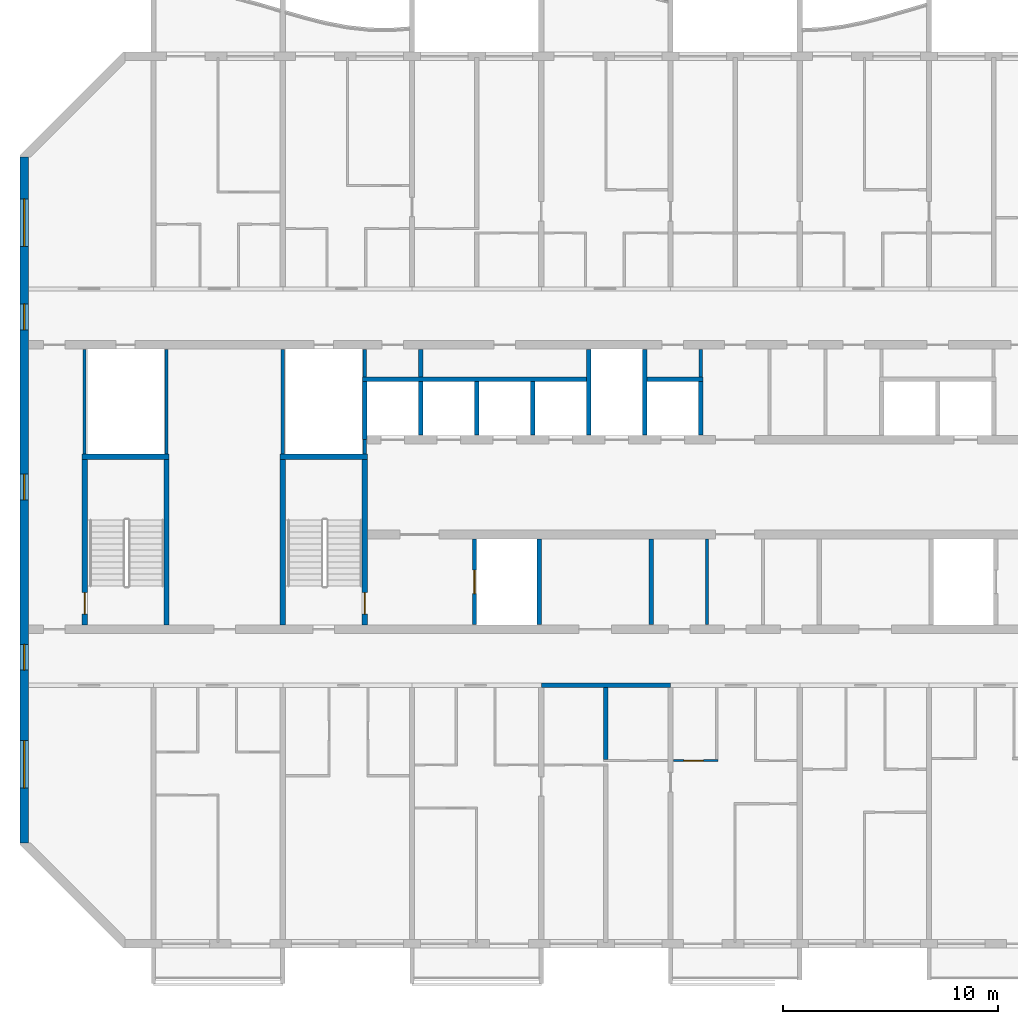
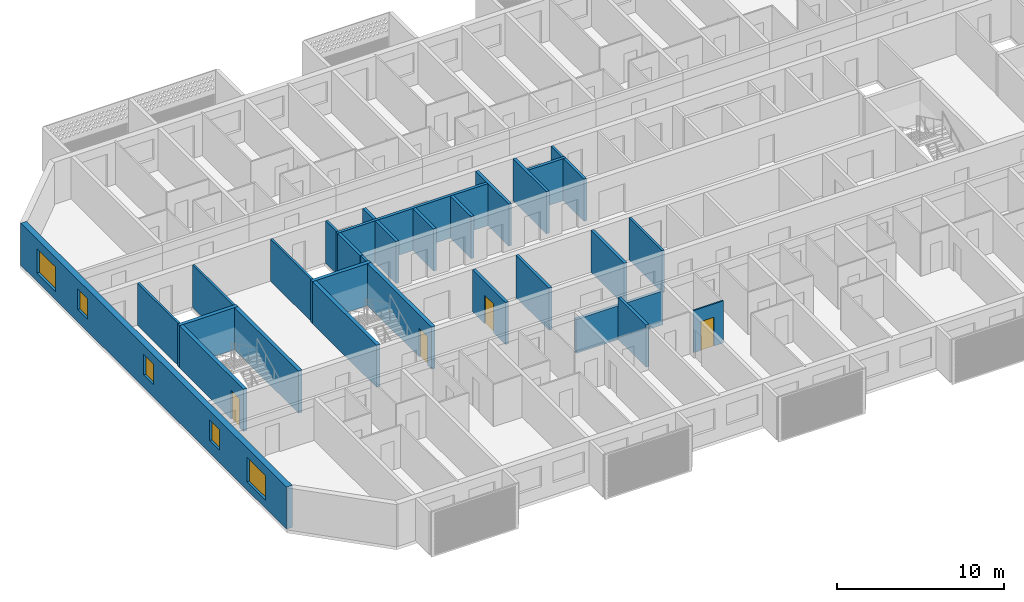
# One storey, part 3 of 27: 30 walls, 5 windows, 4 doors, 9 openings.
"""IFC4 building model written with IfcOpenShell, lengths in metres."""

from ifc_helpers import new_model, si_unit, direction, frame, frame_2d, origin, place, context, subcontext, project, spatial, rectangle, extrude, material, layer, layer_set, type_object, element, fill, save


model = new_model("IFC4")

# Units and contexts
model_context = context("Model", 3, precision=1e-05, world=origin(), true_north=direction((0.0, 1.0)))
body_context = subcontext(model_context, "Body", "Model", "MODEL_VIEW")
ifc_project = project(units=[si_unit("LENGTHUNIT", "METRE"), si_unit("AREAUNIT", "SQUARE_METRE"), si_unit("VOLUMEUNIT", "CUBIC_METRE"), si_unit("PLANEANGLEUNIT", "RADIAN"), si_unit("MASSUNIT", "GRAM", prefix="KILO")], contexts=[model_context])

# Site, building, storey
site_placement = place(None, origin())
site = spatial("IfcSite", under=ifc_project, at=site_placement, CompositionType="ELEMENT")
building_placement = place(site_placement, origin())
building = spatial("IfcBuilding", under=site, at=building_placement, Name="Poui Terraces", CompositionType="ELEMENT")
storey_placement = place(building_placement, frame((0.0, 0.0, 195.0)))
storey = spatial("IfcBuildingStorey", under=building, at=storey_placement, Name="L54", CompositionType="ELEMENT", Elevation=195.0)

# Walls
ifc_material_1 = material(Name="Fire-rated plasterboard wall")
ifc_layer_1 = layer(ifc_material_1, 0.14990234375)
ifc_layer_set_1 = layer_set([ifc_layer_1], Name="Fire-rated plasterboard wall")
wall_type_1 = type_object("IfcWallType", Name="CORRIDOR WALL 150", PredefinedType="PARTITIONING", material=ifc_layer_set_1)
wall_1_placement = place(storey_placement, frame((49.39990234375, 26.300048828125, 0.0), z_axis=(0.0, 0.0, 1.0), x_axis=(0.0, 1.0, 0.0)))
element("IfcWall", 1, at=wall_1_placement, inside=storey, type_object=wall_type_1, Name="CORRIDOR WALL 150", PredefinedType="PARTITIONING", context=body_context, shape_type="SweptSolid", body=[
    extrude(rectangle(XDim=1.2900390625, YDim=0.14990234375, at=frame_2d((0.64501953125, 0.0))), origin(), (0.0, 0.0, 1.0), 3.080078125),
])
wall_2_placement = place(storey_placement, frame((49.699951171875, 14.81005859375, 0.0), z_axis=(0.0, 0.0, 1.0), x_axis=(0.0, 1.0, 0.0)))
element("IfcWall", 2, at=wall_2_placement, inside=storey, type_object=wall_type_1, Name="CORRIDOR WALL 150", PredefinedType="PARTITIONING", context=body_context, shape_type="SweptSolid", body=[
    extrude(rectangle(XDim=3.97998046875, YDim=0.14990234375, at=frame_2d((1.989990234375, 0.0))), origin(), (0.0, 0.0, 1.0), 3.080078125),
])
ifc_material_2 = material(Name="Concrete 50 MPa", Category="concrete")
ifc_layer_2 = layer(ifc_material_2, 0.199951171875)
ifc_layer_set_2 = layer_set([ifc_layer_2], Name="Concrete 50 MPa")
wall_type_2 = type_object("IfcWallType", Name="CORRIDOR WALL 200 50MPa", PredefinedType="SHEAR", material=ifc_layer_set_2)
wall_3_placement = place(storey_placement, frame((42.0, 12.0, 0.0), z_axis=(0.0, 0.0, 1.0), x_axis=(1.0, 0.0, 0.0)))
element("IfcWall", 3, at=wall_3_placement, inside=storey, type_object=wall_type_2, Name="CORRIDOR WALL LINE B BAY 5", PredefinedType="SHEAR", context=body_context, shape_type="SweptSolid", body=[
    extrude(rectangle(XDim=6.0, YDim=0.199951171875, at=frame_2d((3.0, 0.0))), origin(), (0.0, 0.0, 1.0), 2.47998046875),
])

# Wall, openings, windows
ifc_layer_3 = layer(ifc_material_2, 0.39990234375)
ifc_layer_set_3 = layer_set([ifc_layer_3], Name="Concrete 50 MPa")
wall_type_3 = type_object("IfcWallType", Name="END WALL 400 50MPa", PredefinedType="SHEAR", material=ifc_layer_set_3)
wall_4_placement = place(storey_placement, frame((18.0, 4.682861328125, 0.0), z_axis=(0.0, 0.0, 1.0), x_axis=(0.0, 1.0, 0.0)))
wall_4 = element("IfcWall", 4, at=wall_4_placement, inside=storey, type_object=wall_type_3, Name="END WALL WEST", PredefinedType="SHEAR", context=body_context, shape_type="SweptSolid", body=[
    extrude(rectangle(XDim=31.834228515625, YDim=0.39990234375, at=frame_2d((15.9169921875, 0.0))), origin(), (0.0, 0.0, 1.0), 3.080078125),
])
opening_1_placement = place(wall_4_placement, frame((23.817138671875, 0.0, 0.89990234375)))
opening_1 = element("IfcOpeningElement", 5, at=opening_1_placement, cuts=wall_4, Name="Opening W2", PredefinedType="OPENING", context=body_context, shape_type="SweptSolid", body=[
    extrude(rectangle(XDim=1.199951171875, YDim=1.5, at=frame_2d((0.60009765625, 0.75))), frame((0.0, 0.2099609375, 0.0), z_axis=(0.0, -1.0, 0.0), x_axis=(1.0, 0.0, 0.0)), (0.0, 0.0, 1.0), 0.419921875),
])
opening_2_placement = place(wall_4_placement, frame((8.01708984375, 0.0, 0.89990234375)))
opening_2 = element("IfcOpeningElement", 6, at=opening_2_placement, cuts=wall_4, Name="Opening W2", PredefinedType="OPENING", context=body_context, shape_type="SweptSolid", body=[
    extrude(rectangle(XDim=1.199951171875, YDim=1.5, at=frame_2d((0.60009765625, 0.75))), frame((0.0, 0.2099609375, 0.0), z_axis=(0.0, -1.0, 0.0), x_axis=(1.0, 0.0, 0.0)), (0.0, 0.0, 1.0), 0.419921875),
])
opening_3_placement = place(wall_4_placement, frame((27.693603515625, 0.0, 0.60009765625)))
opening_3 = element("IfcOpeningElement", 7, at=opening_3_placement, cuts=wall_4, Name="Opening W3", PredefinedType="OPENING", context=body_context, shape_type="SweptSolid", body=[
    extrude(rectangle(XDim=2.199951171875, YDim=1.800048828125, at=frame_2d((1.10009765625, 0.89990234375))), frame((0.0, 0.2099609375, 0.0), z_axis=(0.0, -1.0, 0.0), x_axis=(1.0, 0.0, 0.0)), (0.0, 0.0, 1.0), 0.419921875),
])
opening_4_placement = place(wall_4_placement, frame((2.541015625, 0.0, 0.60009765625)))
opening_4 = element("IfcOpeningElement", 8, at=opening_4_placement, cuts=wall_4, Name="Opening W3", PredefinedType="OPENING", context=body_context, shape_type="SweptSolid", body=[
    extrude(rectangle(XDim=2.199951171875, YDim=1.800048828125, at=frame_2d((1.10009765625, 0.89990234375))), frame((0.0, 0.2099609375, 0.0), z_axis=(0.0, -1.0, 0.0), x_axis=(1.0, 0.0, 0.0)), (0.0, 0.0, 1.0), 0.419921875),
])
opening_5_placement = place(wall_4_placement, frame((15.917236328125, 0.0, 0.89990234375)))
opening_5 = element("IfcOpeningElement", 9, at=opening_5_placement, cuts=wall_4, Name="Opening W2", PredefinedType="OPENING", context=body_context, shape_type="SweptSolid", body=[
    extrude(rectangle(XDim=1.199951171875, YDim=1.5, at=frame_2d((0.60009765625, 0.75))), frame((0.0, 0.2099609375, 0.0), z_axis=(0.0, -1.0, 0.0), x_axis=(1.0, 0.0, 0.0)), (0.0, 0.0, 1.0), 0.419921875),
])
ifc_material_3 = material(Name="Clear glass in aluminium frame", Category="aluminium")
window_type_1 = type_object("IfcWindowType", Name="WINDOW 1200X1500", PartitioningType="SINGLE_PANEL", PredefinedType="WINDOW", material=ifc_material_3)
window_1_placement = place(opening_1_placement, origin())
window_1 = element("IfcWindow", 10, at=window_1_placement, inside=storey, type_object=window_type_1, Name="W2 WINDOW", OverallHeight=1.5, OverallWidth=1.199951171875, PartitioningType="SINGLE_PANEL", PredefinedType="WINDOW", context=body_context, shape_type="SweptSolid", body=[
    extrude(rectangle(XDim=1.199951171875, YDim=1.5, at=frame_2d((0.60009765625, 0.75))), frame((0.0, 0.030029296875, 0.0), z_axis=(0.0, -1.0, 0.0), x_axis=(1.0, 0.0, 0.0)), (0.0, 0.0, 1.0), 0.06005859375),
])
fill(opening_1, window_1)
window_2_placement = place(opening_2_placement, origin())
window_2 = element("IfcWindow", 11, at=window_2_placement, inside=storey, type_object=window_type_1, Name="W2 WINDOW", OverallHeight=1.5, OverallWidth=1.199951171875, PartitioningType="SINGLE_PANEL", PredefinedType="WINDOW", context=body_context, shape_type="SweptSolid", body=[
    extrude(rectangle(XDim=1.199951171875, YDim=1.5, at=frame_2d((0.60009765625, 0.75))), frame((0.0, 0.030029296875, 0.0), z_axis=(0.0, -1.0, 0.0), x_axis=(1.0, 0.0, 0.0)), (0.0, 0.0, 1.0), 0.06005859375),
])
fill(opening_2, window_2)
window_3_placement = place(opening_5_placement, origin())
window_3 = element("IfcWindow", 12, at=window_3_placement, inside=storey, type_object=window_type_1, Name="W2 WINDOW", OverallHeight=1.5, OverallWidth=1.199951171875, PartitioningType="SINGLE_PANEL", PredefinedType="WINDOW", context=body_context, shape_type="SweptSolid", body=[
    extrude(rectangle(XDim=1.199951171875, YDim=1.5, at=frame_2d((0.60009765625, 0.75))), frame((0.0, 0.030029296875, 0.0), z_axis=(0.0, -1.0, 0.0), x_axis=(1.0, 0.0, 0.0)), (0.0, 0.0, 1.0), 0.06005859375),
])
fill(opening_5, window_3)
window_type_2 = type_object("IfcWindowType", Name="WINDOW 2200X1800", PartitioningType="DOUBLE_PANEL_HORIZONTAL", PredefinedType="WINDOW", material=ifc_material_3)
window_4_placement = place(opening_3_placement, origin())
window_4 = element("IfcWindow", 13, at=window_4_placement, inside=storey, type_object=window_type_2, Name="W3 WINDOW", OverallHeight=1.800048828125, OverallWidth=2.199951171875, PartitioningType="DOUBLE_PANEL_HORIZONTAL", PredefinedType="WINDOW", context=body_context, shape_type="SweptSolid", body=[
    extrude(rectangle(XDim=2.199951171875, YDim=1.800048828125, at=frame_2d((1.10009765625, 0.89990234375))), frame((0.0, 0.030029296875, 0.0), z_axis=(0.0, -1.0, 0.0), x_axis=(1.0, 0.0, 0.0)), (0.0, 0.0, 1.0), 0.06005859375),
])
fill(opening_3, window_4)
window_5_placement = place(opening_4_placement, origin())
window_5 = element("IfcWindow", 14, at=window_5_placement, inside=storey, type_object=window_type_2, Name="W3 WINDOW", OverallHeight=1.800048828125, OverallWidth=2.199951171875, PartitioningType="DOUBLE_PANEL_HORIZONTAL", PredefinedType="WINDOW", context=body_context, shape_type="SweptSolid", body=[
    extrude(rectangle(XDim=2.199951171875, YDim=1.800048828125, at=frame_2d((1.10009765625, 0.89990234375))), frame((0.0, 0.030029296875, 0.0), z_axis=(0.0, -1.0, 0.0), x_axis=(1.0, 0.0, 0.0)), (0.0, 0.0, 1.0), 0.06005859375),
])
fill(opening_4, window_5)

# Wall, opening, door
ifc_material_4 = material(Name="Plasterboard partition")
ifc_layer_4 = layer(ifc_material_4, 0.10009765625)
ifc_layer_set_4 = layer_set([ifc_layer_4], Name="Plasterboard partition")
wall_type_4 = type_object("IfcWallType", Name="FLAT PARTITION 100", PredefinedType="PARTITIONING", material=ifc_layer_set_4)
wall_5_placement = place(storey_placement, frame((48.135009765625, 8.5, 0.0), z_axis=(0.0, 0.0, 1.0), x_axis=(1.0, 0.0, 0.0)))
wall_5 = element("IfcWall", 15, at=wall_5_placement, inside=storey, type_object=wall_type_4, Name="FLAT PARTITION 100", PredefinedType="PARTITIONING", context=body_context, shape_type="SweptSolid", body=[
    extrude(rectangle(XDim=2.06494140625, YDim=0.10009765625, at=frame_2d((1.032470703125, 0.0))), origin(), (0.0, 0.0, 1.0), 3.080078125),
])
opening_6_placement = place(wall_5_placement, frame((0.489990234375, 0.0, 0.0)))
opening_6 = element("IfcOpeningElement", 16, at=opening_6_placement, cuts=wall_5, Name="Opening D90", PredefinedType="OPENING", context=body_context, shape_type="SweptSolid", body=[
    extrude(rectangle(XDim=0.89990234375, YDim=2.10009765625, at=frame_2d((0.449951171875, 1.050048828125))), frame((0.0, 0.06005859375, 0.0), z_axis=(0.0, -1.0, 0.0), x_axis=(1.0, 0.0, 0.0)), (0.0, 0.0, 1.0), 0.1201171875),
])
ifc_material_5 = material(Name="Solid core timber door", Category="wood")
door_type_1 = type_object("IfcDoorType", Name="INTERNAL DOOR 900 X 2100", OperationType="NOTDEFINED", PredefinedType="DOOR", material=ifc_material_5)
door_1_placement = place(opening_6_placement, origin())
door_1 = element("IfcDoor", 17, at=door_1_placement, inside=storey, type_object=door_type_1, Name="INTERNAL DOOR 079", OperationType="SINGLE_SWING_LEFT", OverallHeight=2.10009765625, OverallWidth=0.89990234375, PredefinedType="DOOR", context=body_context, shape_type="SweptSolid", body=[
    extrude(rectangle(XDim=0.89990234375, YDim=2.10009765625, at=frame_2d((0.449951171875, 1.050048828125))), frame((0.0, 0.02490234375, 0.0), z_axis=(0.0, -1.0, 0.0), x_axis=(1.0, 0.0, 0.0)), (0.0, 0.0, 1.0), 0.050048828125),
])
fill(opening_6, door_1)

# Walls
ifc_material_6 = material(Name="Fire-rated masonry wall", Category="masonry")
ifc_layer_5 = layer(ifc_material_6, 0.199951171875)
ifc_layer_set_5 = layer_set([ifc_layer_5], Name="Fire-rated masonry wall")
wall_type_5 = type_object("IfcWallType", Name="FLAT PARTY WALL 200", PredefinedType="PARTITIONING", material=ifc_layer_set_5)
wall_6_placement = place(storey_placement, frame((45.0, 8.550048828125, 0.0), z_axis=(0.0, 0.0, 1.0), x_axis=(0.0, 1.0, 0.0)))
element("IfcWall", 18, at=wall_6_placement, inside=storey, type_object=wall_type_5, Name="FLAT PARTY WALL 200", PredefinedType="PARTITIONING", context=body_context, shape_type="SweptSolid", body=[
    extrude(rectangle(XDim=3.33984375, YDim=0.199951171875, at=frame_2d((1.669921875, 0.0))), origin(), (0.0, 0.0, 1.0), 3.080078125),
])
ifc_layer_6 = layer(ifc_material_6, 0.199951171875)
ifc_layer_set_6 = layer_set([ifc_layer_6], Name="Fire-rated masonry wall")
wall_type_6 = type_object("IfcWallType", Name="PLANT ROOM WALL 200", PredefinedType="PARTITIONING", material=ifc_layer_set_6)
wall_7_placement = place(storey_placement, frame((36.39990234375, 26.300048828125, 0.0), z_axis=(0.0, 0.0, 1.0), x_axis=(0.0, 1.0, 0.0)))
element("IfcWall", 19, at=wall_7_placement, inside=storey, type_object=wall_type_6, Name="PLANT ROOM WALL 200", PredefinedType="PARTITIONING", context=body_context, shape_type="SweptSolid", body=[
    extrude(rectangle(XDim=1.2900390625, YDim=0.199951171875, at=frame_2d((0.64501953125, 0.0))), origin(), (0.0, 0.0, 1.0), 3.080078125),
])
wall_8_placement = place(storey_placement, frame((47.10009765625, 14.81005859375, 0.0), z_axis=(0.0, 0.0, 1.0), x_axis=(0.0, 1.0, 0.0)))
element("IfcWall", 20, at=wall_8_placement, inside=storey, type_object=wall_type_6, Name="PLANT ROOM WALL 200", PredefinedType="PARTITIONING", context=body_context, shape_type="SweptSolid", body=[
    extrude(rectangle(XDim=3.97998046875, YDim=0.199951171875, at=frame_2d((1.989990234375, 0.0))), origin(), (0.0, 0.0, 1.0), 3.080078125),
])
ifc_material_7 = material(Name="Fire-rated plasterboard riser wall")
ifc_layer_7 = layer(ifc_material_7, 0.14990234375)
ifc_layer_set_7 = layer_set([ifc_layer_7], Name="Fire-rated plasterboard riser wall")
wall_type_7 = type_object("IfcWallType", Name="RISER WALL 150", PredefinedType="PARTITIONING", material=ifc_layer_set_7)
for number, where, z_axis, x_axis, name in (
    (21, (20.800048828125, 22.735107421875, 0.0), (0.0, 0.0, 1.0), (0.0, 1.0, 0.0), "RISER WALL 150"),
    (22, (24.60009765625, 22.735107421875, 0.0), (0.0, 0.0, 1.0), (0.0, 1.0, 0.0), "RISER WALL 150"),
    (23, (30.0, 22.735107421875, 0.0), (0.0, 0.0, 1.0), (0.0, 1.0, 0.0), "RISER WALL 150"),
):
    element("IfcWall", number, at=place(storey_placement, frame(where, z_axis=z_axis, x_axis=x_axis)), inside=storey, type_object=wall_type_7, Name=name, PredefinedType="PARTITIONING", context=body_context, shape_type="SweptSolid", body=[
        extrude(rectangle(XDim=4.85498046875, YDim=0.14990234375, at=frame_2d((2.427490234375, 0.0))), origin(), (0.0, 0.0, 1.0), 3.080078125),
    ])
wall_9_placement = place(storey_placement, frame((33.800048828125, 22.735107421875, 0.0), z_axis=(0.0, 0.0, 1.0), x_axis=(0.0, 1.0, 0.0)))
element("IfcWall", 24, at=wall_9_placement, inside=storey, type_object=wall_type_7, Name="RISER WALL 150", PredefinedType="PARTITIONING", context=body_context, shape_type="SweptSolid", body=[
    extrude(rectangle(XDim=0.664794921875, YDim=0.14990234375, at=frame_2d((0.33251953125, 0.0))), origin(), (0.0, 0.0, 1.0), 3.080078125),
])
wall_10_placement = place(storey_placement, frame((33.800048828125, 26.300048828125, 0.0), z_axis=(0.0, 0.0, 1.0), x_axis=(0.0, 1.0, 0.0)))
element("IfcWall", 25, at=wall_10_placement, inside=storey, type_object=wall_type_7, Name="RISER WALL 150", PredefinedType="PARTITIONING", context=body_context, shape_type="SweptSolid", body=[
    extrude(rectangle(XDim=1.2900390625, YDim=0.14990234375, at=frame_2d((0.64501953125, 0.0))), origin(), (0.0, 0.0, 1.0), 3.080078125),
])
ifc_material_8 = material(Name="Fire-rated masonry shaft wall", Category="masonry")
ifc_layer_8 = layer(ifc_material_8, 0.199951171875)
ifc_layer_set_8 = layer_set([ifc_layer_8], Name="Fire-rated masonry shaft wall")
wall_type_8 = type_object("IfcWallType", Name="SHAFT WALL 200", PredefinedType="PARTITIONING", material=ifc_layer_set_8)
wall_11_placement = place(storey_placement, frame((33.699951171875, 26.199951171875, 0.0), z_axis=(0.0, 0.0, 1.0), x_axis=(1.0, 0.0, 0.0)))
element("IfcWall", 26, at=wall_11_placement, inside=storey, type_object=wall_type_8, Name="SHAFT WALL 200", PredefinedType="PARTITIONING", context=body_context, shape_type="SweptSolid", body=[
    extrude(rectangle(XDim=10.400146484375, YDim=0.199951171875, at=frame_2d((5.2001953125, 0.0))), origin(), (0.0, 0.0, 1.0), 3.080078125),
])
wall_12_placement = place(storey_placement, frame((46.89990234375, 26.199951171875, 0.0), z_axis=(0.0, 0.0, 1.0), x_axis=(1.0, 0.0, 0.0)))
element("IfcWall", 27, at=wall_12_placement, inside=storey, type_object=wall_type_8, Name="SHAFT WALL 200", PredefinedType="PARTITIONING", context=body_context, shape_type="SweptSolid", body=[
    extrude(rectangle(XDim=2.60009765625, YDim=0.199951171875, at=frame_2d((1.300048828125, 0.0))), origin(), (0.0, 0.0, 1.0), 3.080078125),
])
wall_13_placement = place(storey_placement, frame((33.800048828125, 23.39990234375, 0.0), z_axis=(0.0, 0.0, 1.0), x_axis=(0.0, 1.0, 0.0)))
element("IfcWall", 28, at=wall_13_placement, inside=storey, type_object=wall_type_8, Name="SHAFT WALL 200", PredefinedType="PARTITIONING", context=body_context, shape_type="SweptSolid", body=[
    extrude(rectangle(XDim=2.7001953125, YDim=0.199951171875, at=frame_2d((1.35009765625, 0.0))), origin(), (0.0, 0.0, 1.0), 3.080078125),
])
wall_14_placement = place(storey_placement, frame((36.39990234375, 23.610107421875, 0.0), z_axis=(0.0, 0.0, 1.0), x_axis=(0.0, 1.0, 0.0)))
element("IfcWall", 29, at=wall_14_placement, inside=storey, type_object=wall_type_8, Name="SHAFT WALL 200", PredefinedType="PARTITIONING", context=body_context, shape_type="SweptSolid", body=[
    extrude(rectangle(XDim=2.489990234375, YDim=0.199951171875, at=frame_2d((1.2451171875, 0.0))), origin(), (0.0, 0.0, 1.0), 3.080078125),
])

# Wall, opening, door
wall_15_placement = place(storey_placement, frame((38.89990234375, 14.81005859375, 0.0), z_axis=(0.0, 0.0, 1.0), x_axis=(0.0, 1.0, 0.0)))
wall_15 = element("IfcWall", 30, at=wall_15_placement, inside=storey, type_object=wall_type_8, Name="SHAFT WALL 200", PredefinedType="PARTITIONING", context=body_context, shape_type="SweptSolid", body=[
    extrude(rectangle(XDim=3.97998046875, YDim=0.199951171875, at=frame_2d((1.989990234375, 0.0))), origin(), (0.0, 0.0, 1.0), 3.080078125),
])
opening_7_placement = place(wall_15_placement, frame((1.43994140625, 0.0, 0.0)))
opening_7 = element("IfcOpeningElement", 31, at=opening_7_placement, cuts=wall_15, Name="Opening LD", PredefinedType="OPENING", context=body_context, shape_type="SweptSolid", body=[
    extrude(rectangle(XDim=1.10009765625, YDim=2.10009765625, at=frame_2d((0.550048828125, 1.050048828125))), frame((0.0, 0.10986328125, 0.0), z_axis=(0.0, -1.0, 0.0), x_axis=(1.0, 0.0, 0.0)), (0.0, 0.0, 1.0), 0.219970703125),
])
ifc_material_9 = material(Name="Stainless steel sliding door", Category="steel")
door_type_2 = type_object("IfcDoorType", Name="LIFT LANDING DOOR 1100 X 2100", OperationType="DOUBLE_DOOR_SLIDING", PredefinedType="DOOR", material=ifc_material_9)
door_2_placement = place(opening_7_placement, origin())
door_2 = element("IfcDoor", 32, at=door_2_placement, inside=storey, type_object=door_type_2, Name="LANDING DOOR", OperationType="DOUBLE_DOOR_SLIDING", OverallHeight=2.10009765625, OverallWidth=1.10009765625, PredefinedType="DOOR", context=body_context, shape_type="SweptSolid", body=[
    extrude(rectangle(XDim=1.10009765625, YDim=2.10009765625, at=frame_2d((0.550048828125, 1.050048828125))), frame((0.0, 0.02490234375, 0.0), z_axis=(0.0, -1.0, 0.0), x_axis=(1.0, 0.0, 0.0)), (0.0, 0.0, 1.0), 0.050048828125),
])
fill(opening_7, door_2)

# Walls
for number, where, z_axis, x_axis, name in (
    (33, (39.0, 23.610107421875, 0.0), (0.0, 0.0, 1.0), (0.0, 1.0, 0.0), "SHAFT WALL 200"),
    (34, (41.60009765625, 23.610107421875, 0.0), (0.0, 0.0, 1.0), (0.0, 1.0, 0.0), "SHAFT WALL 200"),
):
    element("IfcWall", number, at=place(storey_placement, frame(where, z_axis=z_axis, x_axis=x_axis)), inside=storey, type_object=wall_type_8, Name=name, PredefinedType="PARTITIONING", context=body_context, shape_type="SweptSolid", body=[
        extrude(rectangle(XDim=2.489990234375, YDim=0.199951171875, at=frame_2d((1.2451171875, 0.0))), origin(), (0.0, 0.0, 1.0), 3.080078125),
    ])
for number, where, z_axis, x_axis, name in (
    (35, (41.89990234375, 14.81005859375, 0.0), (0.0, 0.0, 1.0), (0.0, 1.0, 0.0), "SHAFT WALL 200"),
    (36, (44.199951171875, 23.610107421875, 0.0), (0.0, 0.0, 1.0), (0.0, 1.0, 0.0), "SHAFT WALL 200"),
    (37, (46.800048828125, 23.610107421875, 0.0), (0.0, 0.0, 1.0), (0.0, 1.0, 0.0), "SHAFT WALL 200"),
):
    element("IfcWall", number, at=place(storey_placement, frame(where, z_axis=z_axis, x_axis=x_axis)), inside=storey, type_object=wall_type_8, Name=name, PredefinedType="PARTITIONING", context=body_context, shape_type="SweptSolid", body=[
        extrude(rectangle(XDim=3.97998046875, YDim=0.199951171875, at=frame_2d((1.989990234375, 0.0))), origin(), (0.0, 0.0, 1.0), 3.080078125),
    ])
wall_16_placement = place(storey_placement, frame((49.39990234375, 23.610107421875, 0.0), z_axis=(0.0, 0.0, 1.0), x_axis=(0.0, 1.0, 0.0)))
element("IfcWall", 38, at=wall_16_placement, inside=storey, type_object=wall_type_8, Name="SHAFT WALL 200", PredefinedType="PARTITIONING", context=body_context, shape_type="SweptSolid", body=[
    extrude(rectangle(XDim=2.489990234375, YDim=0.199951171875, at=frame_2d((1.2451171875, 0.0))), origin(), (0.0, 0.0, 1.0), 3.080078125),
])
ifc_layer_9 = layer(ifc_material_2, 0.25)
ifc_layer_set_9 = layer_set([ifc_layer_9], Name="Concrete 50 MPa")
wall_type_9 = type_object("IfcWallType", Name="STAIR CORE WALL 250 50 MPA", PredefinedType="SOLIDWALL", material=ifc_layer_set_9)
wall_17_placement = place(storey_placement, frame((30.0, 14.800048828125, 0.0), z_axis=(0.0, 0.0, 1.0), x_axis=(0.0, 1.0, 0.0)))
element("IfcWall", 39, at=wall_17_placement, inside=storey, type_object=wall_type_9, Name="STAIR CORE WALL", PredefinedType="SOLIDWALL", context=body_context, shape_type="SweptSolid", body=[
    extrude(rectangle(XDim=7.675048828125, YDim=0.25, at=frame_2d((3.83740234375, 0.0))), origin(), (0.0, 0.0, 1.0), 3.080078125),
])

# Wall, opening, door
wall_18_placement = place(storey_placement, frame((33.800048828125, 14.800048828125, 0.0), z_axis=(0.0, 0.0, 1.0), x_axis=(0.0, 1.0, 0.0)))
wall_18 = element("IfcWall", 40, at=wall_18_placement, inside=storey, type_object=wall_type_9, Name="STAIR CORE WALL", PredefinedType="SOLIDWALL", context=body_context, shape_type="SweptSolid", body=[
    extrude(rectangle(XDim=7.675048828125, YDim=0.25, at=frame_2d((3.83740234375, 0.0))), origin(), (0.0, 0.0, 1.0), 3.080078125),
])
opening_8_placement = place(wall_18_placement, frame((0.5, 0.0, 0.0)))
opening_8 = element("IfcOpeningElement", 41, at=opening_8_placement, cuts=wall_18, Name="Opening FD60S", PredefinedType="OPENING", context=body_context, shape_type="SweptSolid", body=[
    extrude(rectangle(XDim=1.0, YDim=2.10009765625, at=frame_2d((0.5, 1.050048828125))), frame((0.0, 0.135009765625, 0.0), z_axis=(0.0, -1.0, 0.0), x_axis=(1.0, 0.0, 0.0)), (0.0, 0.0, 1.0), 0.27001953125),
])
ifc_material_10 = material(Name="Steel fire door", Category="steel")
door_type_3 = type_object("IfcDoorType", Name="STAIR DOOR 1000 X 2100", OperationType="NOTDEFINED", PredefinedType="DOOR", material=ifc_material_10)
door_3_placement = place(opening_8_placement, origin())
door_3 = element("IfcDoor", 42, at=door_3_placement, inside=storey, type_object=door_type_3, Name="STAIR DOOR 101", OperationType="SINGLE_SWING_LEFT", OverallHeight=2.10009765625, OverallWidth=1.0, PredefinedType="DOOR", context=body_context, shape_type="SweptSolid", body=[
    extrude(rectangle(XDim=1.0, YDim=2.10009765625, at=frame_2d((0.5, 1.050048828125))), frame((0.0, 0.02490234375, 0.0), z_axis=(0.0, -1.0, 0.0), x_axis=(1.0, 0.0, 0.0)), (0.0, 0.0, 1.0), 0.050048828125),
])
fill(opening_8, door_3)

# Wall
wall_19_placement = place(storey_placement, frame((29.875, 22.60009765625, 0.0), z_axis=(0.0, 0.0, 1.0), x_axis=(1.0, 0.0, 0.0)))
element("IfcWall", 43, at=wall_19_placement, inside=storey, type_object=wall_type_9, Name="STAIR CORE WALL", PredefinedType="SOLIDWALL", context=body_context, shape_type="SweptSolid", body=[
    extrude(rectangle(XDim=4.050048828125, YDim=0.25, at=frame_2d((2.02490234375, 0.0))), origin(), (0.0, 0.0, 1.0), 3.080078125),
])

# Wall, opening, door
wall_20_placement = place(storey_placement, frame((20.800048828125, 14.800048828125, 0.0), z_axis=(0.0, 0.0, 1.0), x_axis=(0.0, 1.0, 0.0)))
wall_20 = element("IfcWall", 44, at=wall_20_placement, inside=storey, type_object=wall_type_9, Name="STAIR CORE WALL", PredefinedType="SOLIDWALL", context=body_context, shape_type="SweptSolid", body=[
    extrude(rectangle(XDim=7.675048828125, YDim=0.25, at=frame_2d((3.83740234375, 0.0))), origin(), (0.0, 0.0, 1.0), 3.080078125),
])
opening_9_placement = place(wall_20_placement, frame((0.5, 0.0, 0.0)))
opening_9 = element("IfcOpeningElement", 45, at=opening_9_placement, cuts=wall_20, Name="Opening FD60S", PredefinedType="OPENING", context=body_context, shape_type="SweptSolid", body=[
    extrude(rectangle(XDim=1.0, YDim=2.10009765625, at=frame_2d((0.5, 1.050048828125))), frame((0.0, 0.135009765625, 0.0), z_axis=(0.0, -1.0, 0.0), x_axis=(1.0, 0.0, 0.0)), (0.0, 0.0, 1.0), 0.27001953125),
])
door_4_placement = place(opening_9_placement, frame((1.0, 0.0, 0.0), z_axis=(0.0, 0.0, 1.0), x_axis=(-1.0, 0.0, 0.0)))
door_4 = element("IfcDoor", 46, at=door_4_placement, inside=storey, type_object=door_type_3, Name="STAIR DOOR 115", OperationType="SINGLE_SWING_RIGHT", OverallHeight=2.10009765625, OverallWidth=1.0, PredefinedType="DOOR", context=body_context, shape_type="SweptSolid", body=[
    extrude(rectangle(XDim=1.0, YDim=2.10009765625, at=frame_2d((0.5, 1.050048828125))), frame((0.0, 0.02490234375, 0.0), z_axis=(0.0, -1.0, 0.0), x_axis=(1.0, 0.0, 0.0)), (0.0, 0.0, 1.0), 0.050048828125),
])
fill(opening_9, door_4)

# Walls
wall_21_placement = place(storey_placement, frame((24.60009765625, 14.800048828125, 0.0), z_axis=(0.0, 0.0, 1.0), x_axis=(0.0, 1.0, 0.0)))
element("IfcWall", 47, at=wall_21_placement, inside=storey, type_object=wall_type_9, Name="STAIR CORE WALL", PredefinedType="SOLIDWALL", context=body_context, shape_type="SweptSolid", body=[
    extrude(rectangle(XDim=7.675048828125, YDim=0.25, at=frame_2d((3.83740234375, 0.0))), origin(), (0.0, 0.0, 1.0), 3.080078125),
])
wall_22_placement = place(storey_placement, frame((20.675048828125, 22.60009765625, 0.0), z_axis=(0.0, 0.0, 1.0), x_axis=(1.0, 0.0, 0.0)))
element("IfcWall", 48, at=wall_22_placement, inside=storey, type_object=wall_type_9, Name="STAIR CORE WALL", PredefinedType="SOLIDWALL", context=body_context, shape_type="SweptSolid", body=[
    extrude(rectangle(XDim=4.050048828125, YDim=0.25, at=frame_2d((2.02490234375, 0.0))), origin(), (0.0, 0.0, 1.0), 3.080078125),
])

save(model, "model.ifc")
